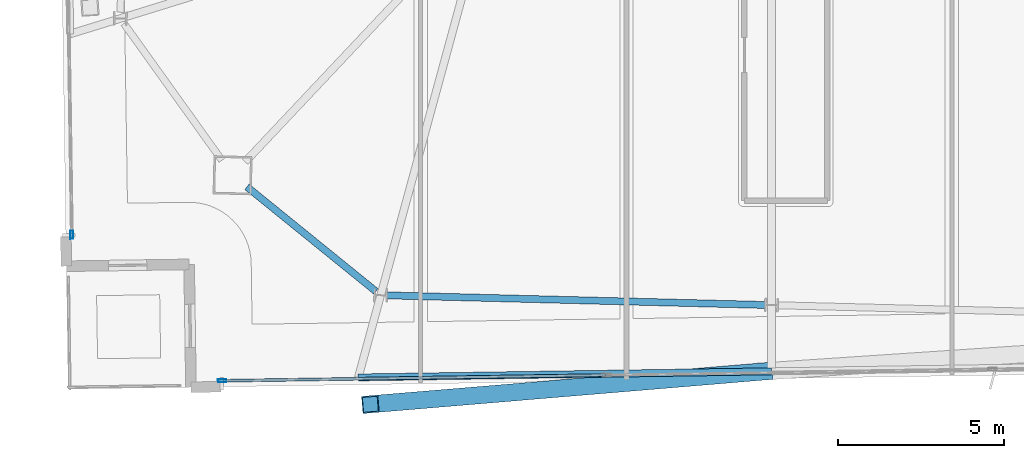
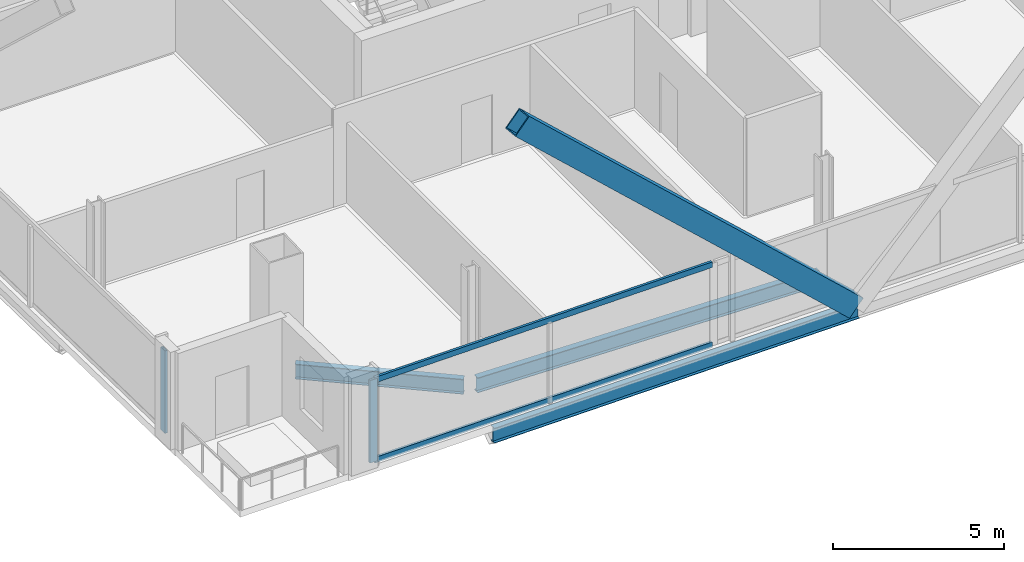
# One storey, part 2 of 25: 5 members, 3 beams, 2 elements without a shape of their own.
"""IFC4 building model written with IfcOpenShell, lengths in metres."""

from ifc_helpers import new_model, si_unit, direction, frame, origin, origin_2d, place, context, subcontext, project, spatial, hollow_rectangle, i_section, extrude, material, material_profile, profile_set, type_object, element, aggregate, save


model = new_model("IFC4")

# Units and contexts
model_context = context("Model", 3, precision=1e-05, world=origin(), true_north=direction((0.0, 1.0)))
body_context = subcontext(model_context, "Body", "Model", "MODEL_VIEW")
ifc_project = project(units=[si_unit("LENGTHUNIT", "METRE"), si_unit("AREAUNIT", "SQUARE_METRE"), si_unit("VOLUMEUNIT", "CUBIC_METRE"), si_unit("PLANEANGLEUNIT", "RADIAN"), si_unit("MASSUNIT", "GRAM", prefix="KILO")], contexts=[model_context])

# Site, building, storey
site_placement = place(None, origin())
site = spatial("IfcSite", under=ifc_project, at=site_placement, CompositionType="ELEMENT")
building_placement = place(site_placement, origin())
building = spatial("IfcBuilding", under=site, at=building_placement, Name="Haldenkirk Collegiate Tower", CompositionType="ELEMENT")
storey_placement = place(building_placement, frame((0.0, 0.0, 332.699951171875)))
storey = spatial("IfcBuildingStorey", under=building, at=storey_placement, Name="L84", CompositionType="ELEMENT", Elevation=332.699951171875)

# Beams
ifc_material_1 = material(Name="Steel ASTM A992 Grade 50", Category="steel")
ifc_material_profile_1 = material_profile(ifc_material_1, i_section(OverallWidth=0.2099609375, OverallDepth=0.537109375, WebThickness=0.010986328125, FlangeThickness=0.017333984375, at=origin_2d()), Name="W21X68")
ifc_profile_set_1 = profile_set([ifc_material_profile_1], Name="Steel ASTM A992 Grade 50")
beam_type = type_object("IfcBeamType", Name="BM-SPANDREL-W21X68", PredefinedType="SPANDREL", material=ifc_profile_set_1)
beam_1_placement = place(storey_placement, frame((19.767578125, 9.51708984375, -0.528564453125), z_axis=(0.776950131303, -0.629562144247, 0.0), x_axis=(0.629562144247, 0.776950131303, 0.0)))
element("IfcBeam", 1, at=beam_1_placement, inside=storey, type_object=beam_type, Name="L84 perimeter spandrel beam 13", PredefinedType="SPANDREL", context=body_context, shape_type="SweptSolid", body=[
    extrude(i_section(OverallWidth=0.2099609375, OverallDepth=0.537109375, WebThickness=0.010986328125, FlangeThickness=0.017333984375, at=origin_2d()), origin(), (0.0, 0.0, 1.0), 4.99755859375),
])
beam_2_placement = place(storey_placement, frame((23.984375, 6.247802734375, -0.528564453125), z_axis=(0.99967950041, -0.02531593293, 0.0), x_axis=(0.02531593293, 0.99967950041, 0.0)))
element("IfcBeam", 2, at=beam_2_placement, inside=storey, type_object=beam_type, Name="L84 perimeter spandrel beam 14", PredefinedType="SPANDREL", context=body_context, shape_type="SweptSolid", body=[
    extrude(i_section(OverallWidth=0.2099609375, OverallDepth=0.537109375, WebThickness=0.010986328125, FlangeThickness=0.017333984375, at=origin_2d()), origin(), (0.0, 0.0, 1.0), 11.39892578125),
])
beam_3_placement = place(storey_placement, frame((23.12109375, 3.776611328125, -0.528564453125), z_axis=(0.99989006771, 0.014827423769, 0.0), x_axis=(-0.014827423769, 0.99989006771, 0.0)))
element("IfcBeam", 3, at=beam_3_placement, inside=storey, type_object=beam_type, Name="L84 outer facade edge beam 4A", PredefinedType="SPANDREL", context=body_context, shape_type="SweptSolid", body=[
    extrude(i_section(OverallWidth=0.2099609375, OverallDepth=0.537109375, WebThickness=0.010986328125, FlangeThickness=0.017333984375, at=origin_2d()), origin(), (0.0, 0.0, 1.0), 12.447998046875),
])

# Curtain wall, member
ifc_material_2 = material(Name="Anodised architectural bronze aluminium", Category="aluminium")
curtain_wall_type = type_object("IfcCurtainWallType", Name="CW-SYS1B-CONVEX-HI", PredefinedType="USERDEFINED", material=ifc_material_2)
curtain_wall_1_placement = place(storey_placement, origin())
curtain_wall_1 = element("IfcCurtainWall", 4, at=curtain_wall_1_placement, inside=storey, type_object=curtain_wall_type, Name="L84 Upper tower high-wind convex bronze unitised curtain wall", ObjectType="UNITISED CURTAIN WALL", PredefinedType="USERDEFINED")
ifc_material_profile_2 = material_profile(ifc_material_2, hollow_rectangle(XDim=0.0849609375, YDim=0.25, WallThickness=0.0048828125, at=origin_2d()), Name="CW-MUL-1B")
ifc_profile_set_2 = profile_set([ifc_material_profile_2], Name="Anodised architectural bronze aluminium")
member_type_1 = type_object("IfcMemberType", Name="CW-MUL-1B", PredefinedType="MULLION", material=ifc_profile_set_2)
member_1_placement = place(storey_placement, frame((14.49365234375, 8.071533203125, 0.0), z_axis=(0.0, 0.0, 1.0), x_axis=(-0.99988998696, -0.014832868138, 0.0)))
member_1 = element("IfcMember", 5, at=member_1_placement, type_object=member_type_1, Name="CW-1B mullion 1", PredefinedType="MULLION", context=body_context, shape_type="SweptSolid", body=[
    extrude(hollow_rectangle(XDim=0.0849609375, YDim=0.25, WallThickness=0.0048828125, at=origin_2d()), origin(), (0.0, 0.0, 1.0), 2.947998046875),
])
aggregate(curtain_wall_1, [member_1])

# Curtain wall, members
curtain_wall_2_placement = place(storey_placement, origin())
curtain_wall_2 = element("IfcCurtainWall", 6, at=curtain_wall_2_placement, inside=storey, type_object=curtain_wall_type, Name="L84 Upper tower high-wind convex bronze unitised curtain wall", ObjectType="UNITISED CURTAIN WALL", PredefinedType="USERDEFINED")
member_2_placement = place(storey_placement, frame((19.021728515625, 3.67578125, 0.0), z_axis=(0.0, 0.0, 1.0), x_axis=(0.014833001798, -0.999889984977, 0.0)))
member_2 = element("IfcMember", 7, at=member_2_placement, type_object=member_type_1, Name="CW-1B mullion 4", PredefinedType="MULLION", context=body_context, shape_type="SweptSolid", body=[
    extrude(hollow_rectangle(XDim=0.0849609375, YDim=0.25, WallThickness=0.0048828125, at=origin_2d()), origin(), (0.0, 0.0, 1.0), 2.947998046875),
])
ifc_material_profile_3 = material_profile(ifc_material_2, hollow_rectangle(XDim=0.0849609375, YDim=0.199951171875, WallThickness=0.0048828125, at=origin_2d()), Name="CW-TRN-1B")
ifc_profile_set_3 = profile_set([ifc_material_profile_3], Name="Anodised architectural bronze aluminium")
member_type_2 = type_object("IfcMemberType", Name="CW-TRN-1B", PredefinedType="USERDEFINED", material=ifc_profile_set_3)
member_3_placement = place(storey_placement, frame((30.560546875, 3.846923828125, 0.04248046875), z_axis=(-0.999889842606, -0.014842595935, 0.0), x_axis=(0.014842595935, -0.999889842606, 0.0)))
member_3 = element("IfcMember", 8, at=member_3_placement, type_object=member_type_2, Name="CW-1B transom 3.1", ObjectType="TRANSOM", PredefinedType="USERDEFINED", context=body_context, shape_type="SweptSolid", body=[
    extrude(hollow_rectangle(XDim=0.0849609375, YDim=0.199951171875, WallThickness=0.0048828125, at=origin_2d()), origin(), (0.0, 0.0, 1.0), 11.49755859375),
])
member_4_placement = place(storey_placement, frame((30.560546875, 3.846923828125, 2.905517578125), z_axis=(-0.999889842606, -0.014842595935, 0.0), x_axis=(0.014842595935, -0.999889842606, 0.0)))
member_4 = element("IfcMember", 9, at=member_4_placement, type_object=member_type_2, Name="CW-1B transom 3.2", ObjectType="TRANSOM", PredefinedType="USERDEFINED", context=body_context, shape_type="SweptSolid", body=[
    extrude(hollow_rectangle(XDim=0.0849609375, YDim=0.199951171875, WallThickness=0.0048828125, at=origin_2d()), origin(), (0.0, 0.0, 1.0), 11.49755859375),
])
aggregate(curtain_wall_2, [member_2, member_3, member_4])

# Member
ifc_material_3 = material(Name="Steel ASTM A572 Grade 50", Category="steel")
ifc_material_profile_4 = material_profile(ifc_material_3, hollow_rectangle(XDim=0.52001953125, YDim=0.719970703125, WallThickness=0.035888671875, at=origin_2d()), Name="BOX720X520X36")
ifc_profile_set_4 = profile_set([ifc_material_profile_4], Name="Steel ASTM A572 Grade 50")
member_type_3 = type_object("IfcMemberType", Name="MBR-MEGABRACE-BOX720X520X36", PredefinedType="BRACE", material=ifc_profile_set_4)
member_5_placement = place(storey_placement, frame((35.350341796875, 3.9580078125, -0.27001953125), z_axis=(-0.724305594843, -0.060499154429, 0.686819668903), x_axis=(0.083237252601, -0.996529758602, 0.0)))
element("IfcMember", 10, at=member_5_placement, inside=storey, type_object=member_type_3, Name="Perimeter Mega Brace Z6 L84-L86 WL", PredefinedType="BRACE", context=body_context, shape_type="SweptSolid", body=[
    extrude(hollow_rectangle(XDim=0.52001953125, YDim=0.719970703125, WallThickness=0.035888671875, at=origin_2d()), origin(), (0.0, 0.0, 1.0), 16.3798828125),
])

save(model, "model.ifc")
